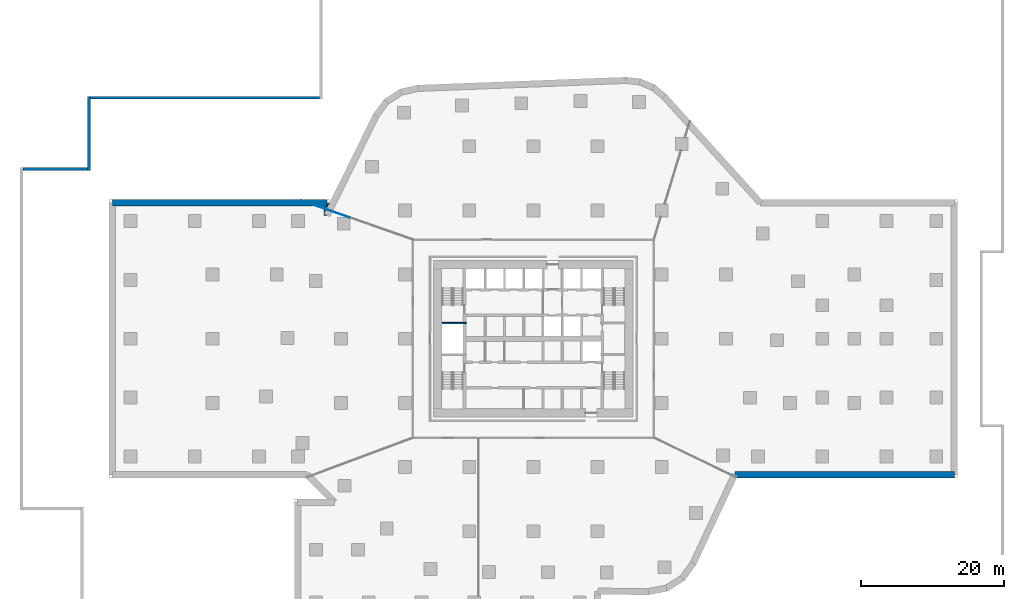
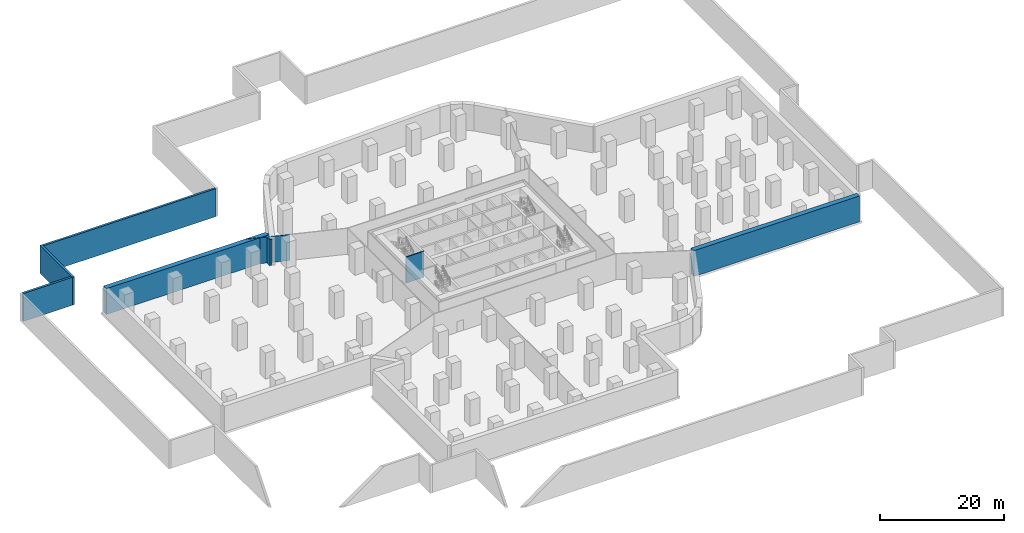
# One storey, part 5 of 9: 8 walls.
"""IFC4 building model written with IfcOpenShell, lengths in metres."""

from ifc_helpers import new_model, si_unit, direction, frame, frame_2d, origin, place, context, subcontext, project, spatial, polyline, rectangle, outline, extrude, material, layer, layer_set, type_object, element, save


model = new_model("IFC4")

# Units and contexts
model_context = context("Model", 3, precision=1e-05, world=origin(), true_north=direction((0.0, 1.0)))
body_context = subcontext(model_context, "Body", "Model", "MODEL_VIEW")
ifc_project = project(units=[si_unit("LENGTHUNIT", "METRE"), si_unit("AREAUNIT", "SQUARE_METRE"), si_unit("VOLUMEUNIT", "CUBIC_METRE"), si_unit("PLANEANGLEUNIT", "RADIAN"), si_unit("MASSUNIT", "GRAM", prefix="KILO")], contexts=[model_context])

# Site, building, storey
site_placement = place(None, origin())
site = spatial("IfcSite", under=ifc_project, at=site_placement, CompositionType="ELEMENT")
building_placement = place(site_placement, origin())
building = spatial("IfcBuilding", under=site, at=building_placement, Name="Dongbaek Canopy Tower", CompositionType="ELEMENT")
storey_placement = place(building_placement, frame((0.0, 0.0, -11.5)))
storey = spatial("IfcBuildingStorey", under=building, at=storey_placement, Name="B2", CompositionType="ELEMENT", Elevation=-11.5)

# Walls
ifc_material_1 = material(Name="Gypsum board partition, steel stud, 2 x 12.5 mm board", Category="steel")
ifc_layer_1 = layer(ifc_material_1, 0.10009765625)
ifc_layer_set_1 = layer_set([ifc_layer_1], Name="Partition 100 gypsum board")
wall_type_1 = type_object("IfcWallType", Name="Partition 100 gypsum board", PredefinedType="PARTITIONING", material=ifc_layer_set_1)
wall_1_placement = place(storey_placement, frame((-32.585205078125, 19.3798828125, 0.0), z_axis=(0.0, 0.0, 1.0), x_axis=(0.944040530472, -0.329829466279, 0.0)))
element("IfcWall", 1, at=wall_1_placement, inside=storey, type_object=wall_type_1, Name="Partition", PredefinedType="PARTITIONING", context=body_context, shape_type="SweptSolid", body=[
    extrude(rectangle(XDim=7.16064453125, YDim=0.10009765625, at=frame_2d((3.580322265625, 0.0))), origin(), (0.0, 0.0, 1.0), 5.10009765625),
])
ifc_material_2 = material(Name="Concrete C40/50", Category="concrete")
ifc_layer_2 = layer(ifc_material_2, 0.39990234375)
ifc_layer_set_2 = layer_set([ifc_layer_2], Name="Plaza plinth wall 400")
wall_type_2 = type_object("IfcWallType", Name="Plaza plinth wall 400", PredefinedType="SOLIDWALL", material=ifc_layer_set_2)
wall_2_placement = place(storey_placement, frame((-71.60009765625, 23.800048828125, 0.0), z_axis=(0.0, 0.0, 1.0), x_axis=(1.0, 0.0, 0.0)))
element("IfcWall", 2, at=wall_2_placement, inside=storey, type_object=wall_type_2, Name="Plaza plinth wall 44", PredefinedType="SOLIDWALL", context=body_context, shape_type="SweptSolid", body=[
    extrude(rectangle(XDim=9.10009765625, YDim=0.39990234375, at=frame_2d((4.550048828125, 0.0))), origin(), (0.0, 0.0, 1.0), 5.5),
])
wall_3_placement = place(storey_placement, frame((-62.300048828125, 23.60009765625, 0.0), z_axis=(0.0, 0.0, 1.0), x_axis=(0.0, 1.0, 0.0)))
element("IfcWall", 3, at=wall_3_placement, inside=storey, type_object=wall_type_2, Name="Plaza plinth wall 45", PredefinedType="SOLIDWALL", context=body_context, shape_type="SweptSolid", body=[
    extrude(rectangle(XDim=10.39990234375, YDim=0.39990234375, at=frame_2d((5.199951171875, 0.0))), origin(), (0.0, 0.0, 1.0), 5.5),
])
wall_4_placement = place(storey_placement, frame((-62.10009765625, 33.800048828125, 0.0), z_axis=(0.0, 0.0, 1.0), x_axis=(1.0, 0.0, 0.0)))
element("IfcWall", 4, at=wall_4_placement, inside=storey, type_object=wall_type_2, Name="Plaza plinth wall 46", PredefinedType="SOLIDWALL", context=body_context, shape_type="SweptSolid", body=[
    extrude(rectangle(XDim=32.10009765625, YDim=0.39990234375, at=frame_2d((16.050048828125, 0.0))), origin(), (0.0, 0.0, 1.0), 5.5),
])
ifc_material_3 = material(Name="Concrete C40", Category="concrete")
ifc_layer_3 = layer(ifc_material_3, 0.89990234375)
ifc_layer_set_3 = layer_set([ifc_layer_3], Name="RC RETAINING WALL 900 Concrete C40")
wall_type_3 = type_object("IfcWallType", Name="RC RETAINING WALL 900 Concrete C40", PredefinedType="SHEAR", material=ifc_layer_set_3)
wall_5_placement = place(storey_placement, frame((-59.050048828125, 19.050048828125, 0.0), z_axis=(0.0, 0.0, 1.0), x_axis=(1.0, 0.0, 0.0)))
element("IfcWall", 5, at=wall_5_placement, inside=storey, type_object=wall_type_3, Name="RWALL:B2:05", PredefinedType="SHEAR", context=body_context, shape_type="SweptSolid", body=[
    extrude(rectangle(XDim=30.10009765625, YDim=0.89990234375, at=frame_2d((15.050048828125, 0.0))), origin(), (0.0, 0.0, 1.0), 5.10009765625),
])
wall_6_placement = place(storey_placement, origin())
element("IfcWall", 6, at=wall_6_placement, inside=storey, type_object=wall_type_3, Name="RWALL:B2:06", PredefinedType="SHEAR", context=body_context, shape_type="SweptSolid", body=[
    extrude(outline(polyline([(-29.39990234375, 17.31689453125), (-28.949951171875, 17.31689453125), (-29.353759765625, 17.515380859375), (-28.59912109375, 19.050048828125), (-28.949951171875, 19.050048828125), (-28.949951171875, 18.60009765625), (-29.39990234375, 18.60009765625), (-29.39990234375, 17.31689453125)])), origin(), (0.0, 0.0, 1.0), 5.10009765625),
])
wall_7_placement = place(storey_placement, frame((59.050048828125, -19.050048828125, 0.0), z_axis=(0.0, 0.0, 1.0), x_axis=(-1.0, 0.0, 0.0)))
element("IfcWall", 7, at=wall_7_placement, inside=storey, type_object=wall_type_3, Name="RWALL:B2:18", PredefinedType="SHEAR", context=body_context, shape_type="SweptSolid", body=[
    extrude(rectangle(XDim=30.80615234375, YDim=0.89990234375, at=frame_2d((15.403076171875, 0.0))), origin(), (0.0, 0.0, 1.0), 5.10009765625),
])
ifc_material_4 = material(Name="Concrete C60/75", Category="concrete")
ifc_layer_4 = layer(ifc_material_4, 0.199951171875)
ifc_layer_set_4 = layer_set([ifc_layer_4], Name="Riser wall 200 Concrete C60/75")
wall_type_4 = type_object("IfcWallType", Name="Riser wall 200 Concrete C60/75", PredefinedType="SHEAR", material=ifc_layer_set_4)
wall_8_placement = place(storey_placement, frame((-9.449951171875, 2.199951171875, 0.0), z_axis=(0.0, 0.0, 1.0), x_axis=(-1.0, 0.0, 0.0)))
element("IfcWall", 8, at=wall_8_placement, inside=storey, type_object=wall_type_4, Name="Riser wall", PredefinedType="SHEAR", context=body_context, shape_type="SweptSolid", body=[
    extrude(rectangle(XDim=3.35009765625, YDim=0.199951171875, at=frame_2d((1.675048828125, 0.0))), origin(), (0.0, 0.0, 1.0), 5.10009765625),
])

save(model, "model.ifc")
